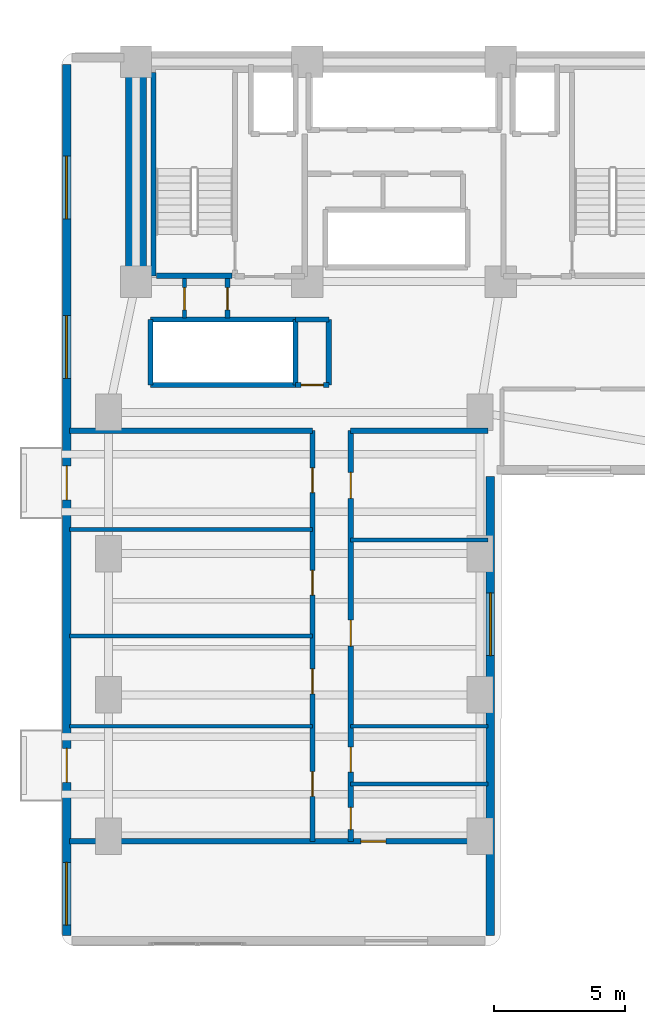
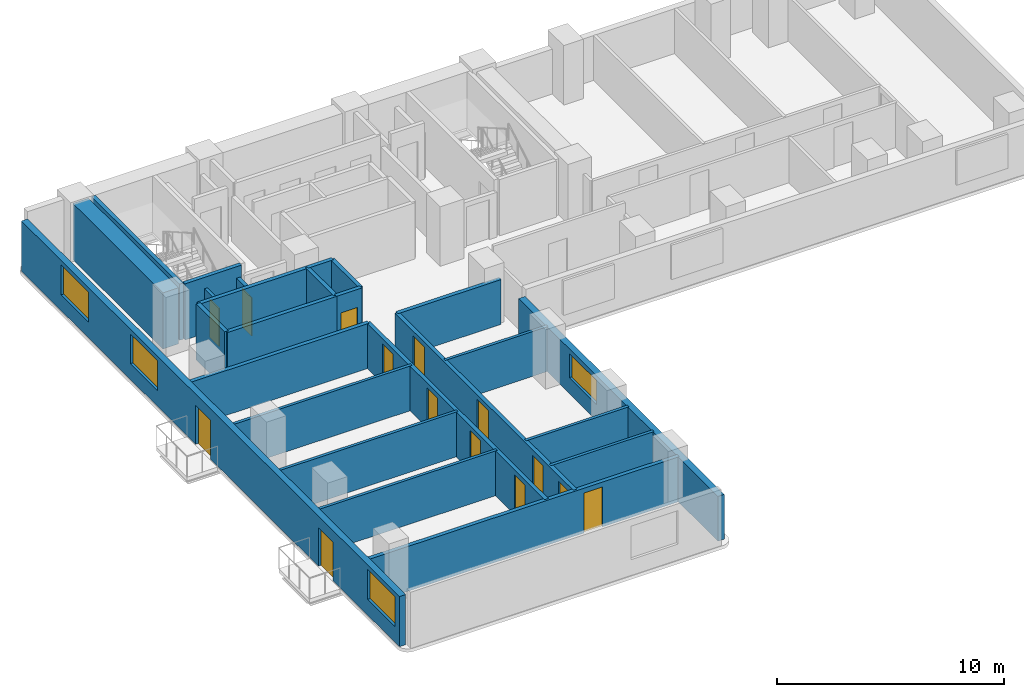
# One storey, part 10 of 17: 25 walls, 14 doors, 4 windows, 18 openings.
"""IFC4 building model written with IfcOpenShell, lengths in metres."""

from ifc_helpers import new_model, si_unit, direction, frame, frame_2d, origin, place, context, subcontext, project, spatial, rectangle, extrude, material, layer, layer_set, type_object, element, fill, save


model = new_model("IFC4")

# Units and contexts
model_context = context("Model", 3, precision=1e-05, world=origin(), true_north=direction((0.0, 1.0)))
body_context = subcontext(model_context, "Body", "Model", "MODEL_VIEW")
ifc_project = project(units=[si_unit("LENGTHUNIT", "METRE"), si_unit("AREAUNIT", "SQUARE_METRE"), si_unit("VOLUMEUNIT", "CUBIC_METRE"), si_unit("PLANEANGLEUNIT", "RADIAN"), si_unit("MASSUNIT", "GRAM", prefix="KILO")], contexts=[model_context])

# Site, building, storey
site_placement = place(None, origin())
site = spatial("IfcSite", under=ifc_project, at=site_placement, CompositionType="ELEMENT")
building_placement = place(site_placement, origin())
building = spatial("IfcBuilding", under=site, at=building_placement, Name="Kuzgunbayir Cultural Tower", CompositionType="ELEMENT")
storey_placement = place(building_placement, frame((0.0, 0.0, 43.60009765625)))
storey = spatial("IfcBuildingStorey", under=building, at=storey_placement, Name="L11", CompositionType="ELEMENT", Elevation=43.60009765625)

# Wall
ifc_material_1 = material(Name="Concrete C60/75", Category="concrete")
ifc_layer_1 = layer(ifc_material_1, 0.800048828125)
ifc_layer_set_1 = layer_set([ifc_layer_1], Name="Concrete C60/75")
wall_type_1 = type_object("IfcWallType", Name="WAL-CORE-800", PredefinedType="SHEAR", material=ifc_layer_set_1)
wall_1_placement = place(storey_placement, frame((6.449951171875, 33.800048828125, 0.0), z_axis=(0.0, 0.0, 1.0), x_axis=(0.0, 1.0, 0.0)))
element("IfcWall", 1, at=wall_1_placement, inside=storey, type_object=wall_type_1, Name="L11 T1 Core West Shear Wall", PredefinedType="SHEAR", context=body_context, shape_type="SweptSolid", body=[
    extrude(rectangle(XDim=7.949951171875, YDim=0.800048828125, at=frame_2d((3.97509765625, 0.0))), origin(), (0.0, 0.0, 1.0), 3.02001953125),
])

# Wall, openings, doors, windows
ifc_material_2 = material(Name="Travertine Buff Ashlar", Category="masonry")
ifc_layer_2 = layer(ifc_material_2, 0.320068359375)
ifc_layer_set_2 = layer_set([ifc_layer_2], Name="Travertine Buff Ashlar")
wall_type_2 = type_object("IfcWallType", Name="WAL-EXT-STONE-320", PredefinedType="STANDARD", material=ifc_layer_set_2)
wall_2_placement = place(storey_placement, frame((3.800048828125, 42.10009765625, 0.0), z_axis=(0.0, 0.0, 1.0), x_axis=(0.0, -1.0, 0.0)))
wall_2 = element("IfcWall", 2, at=wall_2_placement, inside=storey, type_object=wall_type_2, Name="L11 Wing A West Limestone Wall", PredefinedType="STANDARD", context=body_context, shape_type="SweptSolid", body=[
    extrude(rectangle(XDim=33.300048828125, YDim=0.320068359375, at=frame_2d((16.64990234375, 0.0))), origin(), (0.0, 0.0, 1.0), 2.699951171875),
])
opening_1_placement = place(wall_2_placement, frame((26.14990234375, 0.0, 0.0)))
opening_1 = element("IfcOpeningElement", 3, at=opening_1_placement, cuts=wall_2, Name="Opening BD-13", PredefinedType="OPENING", context=body_context, shape_type="SweptSolid", body=[
    extrude(rectangle(XDim=1.300048828125, YDim=2.080078125, at=frame_2d((0.64990234375, 1.0400390625))), frame((0.0, 0.169921875, 0.0), z_axis=(0.0, -1.0, 0.0), x_axis=(1.0, 0.0, 0.0)), (0.0, 0.0, 1.0), 0.340087890625),
])
opening_2_placement = place(wall_2_placement, frame((15.35009765625, 0.0, 0.0)))
opening_2 = element("IfcOpeningElement", 4, at=opening_2_placement, cuts=wall_2, Name="Opening BD-13", PredefinedType="OPENING", context=body_context, shape_type="SweptSolid", body=[
    extrude(rectangle(XDim=1.300048828125, YDim=2.080078125, at=frame_2d((0.64990234375, 1.0400390625))), frame((0.0, 0.169921875, 0.0), z_axis=(0.0, -1.0, 0.0), x_axis=(1.0, 0.0, 0.0)), (0.0, 0.0, 1.0), 0.340087890625),
])
opening_3_placement = place(wall_2_placement, frame((30.5, 0.0, 0.85009765625)))
opening_3 = element("IfcOpeningElement", 5, at=opening_3_placement, cuts=wall_2, Name="Opening WO-24", PredefinedType="OPENING", context=body_context, shape_type="SweptSolid", body=[
    extrude(rectangle(XDim=2.39990234375, YDim=1.60009765625, at=frame_2d((1.199951171875, 0.800048828125))), frame((0.0, 0.169921875, 0.0), z_axis=(0.0, -1.0, 0.0), x_axis=(1.0, 0.0, 0.0)), (0.0, 0.0, 1.0), 0.340087890625),
])
opening_4_placement = place(wall_2_placement, frame((9.60009765625, 0.0, 0.85009765625)))
opening_4 = element("IfcOpeningElement", 6, at=opening_4_placement, cuts=wall_2, Name="Opening WO-24", PredefinedType="OPENING", context=body_context, shape_type="SweptSolid", body=[
    extrude(rectangle(XDim=2.39990234375, YDim=1.60009765625, at=frame_2d((1.199951171875, 0.800048828125))), frame((0.0, 0.169921875, 0.0), z_axis=(0.0, -1.0, 0.0), x_axis=(1.0, 0.0, 0.0)), (0.0, 0.0, 1.0), 0.340087890625),
])
opening_5_placement = place(wall_2_placement, frame((3.5, 0.0, 0.85009765625)))
opening_5 = element("IfcOpeningElement", 7, at=opening_5_placement, cuts=wall_2, Name="Opening WO-24", PredefinedType="OPENING", context=body_context, shape_type="SweptSolid", body=[
    extrude(rectangle(XDim=2.39990234375, YDim=1.60009765625, at=frame_2d((1.199951171875, 0.800048828125))), frame((0.0, 0.169921875, 0.0), z_axis=(0.0, -1.0, 0.0), x_axis=(1.0, 0.0, 0.0)), (0.0, 0.0, 1.0), 0.340087890625),
])
ifc_material_3 = material(Name="Thermally Broken Glazed Aluminium", Category="aluminium")
door_type_1 = type_object("IfcDoorType", Name="DR-BALCONY-135", OperationType="SLIDING_TO_LEFT", PredefinedType="DOOR", material=ifc_material_3)
door_1_placement = place(opening_1_placement, origin())
door_1 = element("IfcDoor", 8, at=door_1_placement, inside=storey, type_object=door_type_1, Name="L11 West Balcony Sliding Door BAL-L11-WA1", OperationType="SLIDING_TO_LEFT", OverallHeight=2.080078125, OverallWidth=1.300048828125, PredefinedType="DOOR", context=body_context, shape_type="SweptSolid", body=[
    extrude(rectangle(XDim=1.300048828125, YDim=2.080078125, at=frame_2d((0.64990234375, 1.0400390625))), frame((0.0, 0.02490234375, 0.0), z_axis=(0.0, -1.0, 0.0), x_axis=(1.0, 0.0, 0.0)), (0.0, 0.0, 1.0), 0.050048828125),
])
fill(opening_1, door_1)
door_2_placement = place(opening_2_placement, origin())
door_2 = element("IfcDoor", 9, at=door_2_placement, inside=storey, type_object=door_type_1, Name="L11 West Balcony Sliding Door BAL-L11-WA3", OperationType="SLIDING_TO_LEFT", OverallHeight=2.080078125, OverallWidth=1.300048828125, PredefinedType="DOOR", context=body_context, shape_type="SweptSolid", body=[
    extrude(rectangle(XDim=1.300048828125, YDim=2.080078125, at=frame_2d((0.64990234375, 1.0400390625))), frame((0.0, 0.02490234375, 0.0), z_axis=(0.0, -1.0, 0.0), x_axis=(1.0, 0.0, 0.0)), (0.0, 0.0, 1.0), 0.050048828125),
])
fill(opening_2, door_2)
ifc_material_4 = material(Name="Solar-Control Triple Glazing", Category="glass")
window_type = type_object("IfcWindowType", Name="WIN-OFFICE-24", PartitioningType="SINGLE_PANEL", PredefinedType="WINDOW", material=ifc_material_4)
window_1_placement = place(opening_3_placement, origin())
window_1 = element("IfcWindow", 10, at=window_1_placement, inside=storey, type_object=window_type, Name="L11 WAW Facade Window 1", OverallHeight=1.60009765625, OverallWidth=2.39990234375, PartitioningType="SINGLE_PANEL", PredefinedType="WINDOW", context=body_context, shape_type="SweptSolid", body=[
    extrude(rectangle(XDim=2.39990234375, YDim=1.60009765625, at=frame_2d((1.199951171875, 0.800048828125))), frame((0.0, 0.030029296875, 0.0), z_axis=(0.0, -1.0, 0.0), x_axis=(1.0, 0.0, 0.0)), (0.0, 0.0, 1.0), 0.06005859375),
])
fill(opening_3, window_1)
window_2_placement = place(opening_4_placement, origin())
window_2 = element("IfcWindow", 11, at=window_2_placement, inside=storey, type_object=window_type, Name="L11 WAW Facade Window 2", OverallHeight=1.60009765625, OverallWidth=2.39990234375, PartitioningType="SINGLE_PANEL", PredefinedType="WINDOW", context=body_context, shape_type="SweptSolid", body=[
    extrude(rectangle(XDim=2.39990234375, YDim=1.60009765625, at=frame_2d((1.199951171875, 0.800048828125))), frame((0.0, 0.030029296875, 0.0), z_axis=(0.0, -1.0, 0.0), x_axis=(1.0, 0.0, 0.0)), (0.0, 0.0, 1.0), 0.06005859375),
])
fill(opening_4, window_2)
window_3_placement = place(opening_5_placement, origin())
window_3 = element("IfcWindow", 12, at=window_3_placement, inside=storey, type_object=window_type, Name="L11 WAW Facade Window 3", OverallHeight=1.60009765625, OverallWidth=2.39990234375, PartitioningType="SINGLE_PANEL", PredefinedType="WINDOW", context=body_context, shape_type="SweptSolid", body=[
    extrude(rectangle(XDim=2.39990234375, YDim=1.60009765625, at=frame_2d((1.199951171875, 0.800048828125))), frame((0.0, 0.030029296875, 0.0), z_axis=(0.0, -1.0, 0.0), x_axis=(1.0, 0.0, 0.0)), (0.0, 0.0, 1.0), 0.06005859375),
])
fill(opening_5, window_3)

# Wall, opening, window
wall_3_placement = place(storey_placement, frame((20.0, 8.800048828125, 0.0), z_axis=(0.0, 0.0, 1.0), x_axis=(0.0, 1.0, 0.0)))
wall_3 = element("IfcWall", 13, at=wall_3_placement, inside=storey, type_object=wall_type_2, Name="L11 Wing A East Limestone Wall", PredefinedType="STANDARD", context=body_context, shape_type="SweptSolid", body=[
    extrude(rectangle(XDim=17.550048828125, YDim=0.320068359375, at=frame_2d((8.77490234375, 0.0))), origin(), (0.0, 0.0, 1.0), 2.409912109375),
])
opening_6_placement = place(wall_3_placement, frame((10.699951171875, 0.0, 0.85009765625)))
opening_6 = element("IfcOpeningElement", 14, at=opening_6_placement, cuts=wall_3, Name="Opening WO-24", PredefinedType="OPENING", context=body_context, shape_type="SweptSolid", body=[
    extrude(rectangle(XDim=2.39990234375, YDim=1.31005859375, at=frame_2d((1.199951171875, 0.655029296875))), frame((0.0, 0.169921875, 0.0), z_axis=(0.0, -1.0, 0.0), x_axis=(1.0, 0.0, 0.0)), (0.0, 0.0, 1.0), 0.340087890625),
])
window_4_placement = place(opening_6_placement, origin())
window_4 = element("IfcWindow", 15, at=window_4_placement, inside=storey, type_object=window_type, Name="L11 WAE Facade Window 4", OverallHeight=1.31005859375, OverallWidth=2.39990234375, PartitioningType="SINGLE_PANEL", PredefinedType="WINDOW", context=body_context, shape_type="SweptSolid", body=[
    extrude(rectangle(XDim=2.39990234375, YDim=1.31005859375, at=frame_2d((1.199951171875, 0.655029296875))), frame((0.0, 0.030029296875, 0.0), z_axis=(0.0, -1.0, 0.0), x_axis=(1.0, 0.0, 0.0)), (0.0, 0.0, 1.0), 0.06005859375),
])
fill(opening_6, window_4)

# Wall, opening, door
ifc_material_5 = material(Name="Acoustic Double-Stud Drywall", Category="gypsum")
ifc_layer_3 = layer(ifc_material_5, 0.14990234375)
ifc_layer_set_3 = layer_set([ifc_layer_3], Name="Acoustic Double-Stud Drywall")
wall_type_3 = type_object("IfcWallType", Name="WAL-PART-ACOUSTIC-150", PredefinedType="PARTITIONING", material=ifc_layer_set_3)
wall_4_placement = place(storey_placement, frame((8.300048828125, 32.39990234375, 0.0), z_axis=(0.0, 0.0, 1.0), x_axis=(0.0, 1.0, 0.0)))
wall_4 = element("IfcWall", 16, at=wall_4_placement, inside=storey, type_object=wall_type_3, Name="L11 West Core Closet Divider", PredefinedType="PARTITIONING", context=body_context, shape_type="SweptSolid", body=[
    extrude(rectangle(XDim=1.52001953125, YDim=0.14990234375, at=frame_2d((0.760009765625, 0.0))), origin(), (0.0, 0.0, 1.0), 2.409912109375),
])
opening_7_placement = place(wall_4_placement, frame((0.320068359375, 0.0, 0.0)))
opening_7 = element("IfcOpeningElement", 17, at=opening_7_placement, cuts=wall_4, Name="Opening DR-RSR-60", PredefinedType="OPENING", context=body_context, shape_type="SweptSolid", body=[
    extrude(rectangle(XDim=0.85009765625, YDim=2.050048828125, at=frame_2d((0.425048828125, 1.02490234375))), frame((0.0, 0.0849609375, 0.0), z_axis=(0.0, -1.0, 0.0), x_axis=(1.0, 0.0, 0.0)), (0.0, 0.0, 1.0), 0.169921875),
])
ifc_material_6 = material(Name="Steel Access Leaf", Category="steel")
door_type_2 = type_object("IfcDoorType", Name="DR-RISER-60", OperationType="NOTDEFINED", PredefinedType="DOOR", material=ifc_material_6)
door_3_placement = place(opening_7_placement, origin())
door_3 = element("IfcDoor", 18, at=door_3_placement, inside=storey, type_object=door_type_2, Name="L11 Sub-Meter Closet Door", OperationType="SINGLE_SWING_RIGHT", OverallHeight=2.050048828125, OverallWidth=0.85009765625, PredefinedType="DOOR", context=body_context, shape_type="SweptSolid", body=[
    extrude(rectangle(XDim=0.85009765625, YDim=2.050048828125, at=frame_2d((0.425048828125, 1.02490234375))), frame((0.0, 0.02490234375, 0.0), z_axis=(0.0, -1.0, 0.0), x_axis=(1.0, 0.0, 0.0)), (0.0, 0.0, 1.0), 0.050048828125),
])
fill(opening_7, door_3)

# Walls
for number, where, z_axis, x_axis, name in (
    (19, (3.89990234375, 16.800048828125, 0.0), (0.0, 0.0, 1.0), (1.0, 0.0, 0.0), "L11 West Suite Partition 1"),
    (20, (3.89990234375, 20.25, 0.0), (0.0, 0.0, 1.0), (1.0, 0.0, 0.0), "L11 West Suite Partition 2"),
    (21, (3.89990234375, 24.330078125, 0.0), (0.0, 0.0, 1.0), (1.0, 0.0, 0.0), "L11 West Suite Partition 3"),
):
    element("IfcWall", number, at=place(storey_placement, frame(where, z_axis=z_axis, x_axis=x_axis)), inside=storey, type_object=wall_type_3, Name=name, PredefinedType="PARTITIONING", context=body_context, shape_type="SweptSolid", body=[
        extrude(rectangle(XDim=9.300048828125, YDim=0.14990234375, at=frame_2d((4.64990234375, 0.0))), origin(), (0.0, 0.0, 1.0), 2.409912109375),
    ])
wall_5_placement = place(storey_placement, frame((14.659912109375, 23.919921875, 0.0), z_axis=(0.0, 0.0, 1.0), x_axis=(1.0, 0.0, 0.0)))
element("IfcWall", 22, at=wall_5_placement, inside=storey, type_object=wall_type_3, Name="L11 East Studio Divider 1", PredefinedType="PARTITIONING", context=body_context, shape_type="SweptSolid", body=[
    extrude(rectangle(XDim=5.239990234375, YDim=0.14990234375, at=frame_2d((2.6201171875, 0.0))), origin(), (0.0, 0.0, 1.0), 2.409912109375),
])

# Wall, opening, door
ifc_material_7 = material(Name="Aerated Concrete Blockwork", Category="masonry")
ifc_layer_4 = layer(ifc_material_7, 0.199951171875)
ifc_layer_set_4 = layer_set([ifc_layer_4], Name="Aerated Concrete Blockwork")
wall_type_4 = type_object("IfcWallType", Name="WAL-PART-FIRE-200", PredefinedType="PARTITIONING", material=ifc_layer_set_4)
wall_6_placement = place(storey_placement, frame((9.949951171875, 32.39990234375, 0.0), z_axis=(0.0, 0.0, 1.0), x_axis=(0.0, 1.0, 0.0)))
wall_6 = element("IfcWall", 23, at=wall_6_placement, inside=storey, type_object=wall_type_4, Name="L11 West Core Service Closet Wall", PredefinedType="PARTITIONING", context=body_context, shape_type="SweptSolid", body=[
    extrude(rectangle(XDim=1.52001953125, YDim=0.199951171875, at=frame_2d((0.760009765625, 0.0))), origin(), (0.0, 0.0, 1.0), 2.409912109375),
])
opening_8_placement = place(wall_6_placement, frame((0.320068359375, 0.0, 0.0)))
opening_8 = element("IfcOpeningElement", 24, at=opening_8_placement, cuts=wall_6, Name="Opening DR-RSR-60", PredefinedType="OPENING", context=body_context, shape_type="SweptSolid", body=[
    extrude(rectangle(XDim=0.85009765625, YDim=2.050048828125, at=frame_2d((0.425048828125, 1.02490234375))), frame((0.0, 0.10986328125, 0.0), z_axis=(0.0, -1.0, 0.0), x_axis=(1.0, 0.0, 0.0)), (0.0, 0.0, 1.0), 0.219970703125),
])
door_4_placement = place(opening_8_placement, origin())
door_4 = element("IfcDoor", 25, at=door_4_placement, inside=storey, type_object=door_type_2, Name="L11 Cleaner Store Door", OperationType="SINGLE_SWING_LEFT", OverallHeight=2.050048828125, OverallWidth=0.85009765625, PredefinedType="DOOR", context=body_context, shape_type="SweptSolid", body=[
    extrude(rectangle(XDim=0.85009765625, YDim=2.050048828125, at=frame_2d((0.425048828125, 1.02490234375))), frame((0.0, 0.02490234375, 0.0), z_axis=(0.0, -1.0, 0.0), x_axis=(1.0, 0.0, 0.0)), (0.0, 0.0, 1.0), 0.050048828125),
])
fill(opening_8, door_4)

wall_7_placement = place(storey_placement, frame((12.550048828125, 29.85009765625, 0.0), z_axis=(0.0, 0.0, 1.0), x_axis=(1.0, 0.0, 0.0)))
wall_7 = element("IfcWall", 26, at=wall_7_placement, inside=storey, type_object=wall_type_4, Name="L11 Center Core Switchgear South Wall", PredefinedType="PARTITIONING", context=body_context, shape_type="SweptSolid", body=[
    extrude(rectangle(XDim=1.27001953125, YDim=0.199951171875, at=frame_2d((0.635009765625, 0.0))), origin(), (0.0, 0.0, 1.0), 3.02001953125),
])
opening_9_placement = place(wall_7_placement, frame((0.2099609375, 0.0, 0.0)))
opening_9 = element("IfcOpeningElement", 27, at=opening_9_placement, cuts=wall_7, Name="Opening DR-RSR-60", PredefinedType="OPENING", context=body_context, shape_type="SweptSolid", body=[
    extrude(rectangle(XDim=0.85009765625, YDim=2.050048828125, at=frame_2d((0.425048828125, 1.02490234375))), frame((0.0, 0.10986328125, 0.0), z_axis=(0.0, -1.0, 0.0), x_axis=(1.0, 0.0, 0.0)), (0.0, 0.0, 1.0), 0.219970703125),
])
door_5_placement = place(opening_9_placement, origin())
door_5 = element("IfcDoor", 28, at=door_5_placement, inside=storey, type_object=door_type_2, Name="L11 Telecom Closet Door", OperationType="SINGLE_SWING_LEFT", OverallHeight=2.050048828125, OverallWidth=0.85009765625, PredefinedType="DOOR", context=body_context, shape_type="SweptSolid", body=[
    extrude(rectangle(XDim=0.85009765625, YDim=2.050048828125, at=frame_2d((0.425048828125, 1.02490234375))), frame((0.0, 0.02490234375, 0.0), z_axis=(0.0, -1.0, 0.0), x_axis=(1.0, 0.0, 0.0)), (0.0, 0.0, 1.0), 0.050048828125),
])
fill(opening_9, door_5)

# Walls
wall_8_placement = place(storey_placement, frame((13.820068359375, 29.85009765625, 0.0), z_axis=(0.0, 0.0, 1.0), x_axis=(0.0, 1.0, 0.0)))
element("IfcWall", 29, at=wall_8_placement, inside=storey, type_object=wall_type_4, Name="L11 Center Core Switchgear East Wall", PredefinedType="PARTITIONING", context=body_context, shape_type="SweptSolid", body=[
    extrude(rectangle(XDim=2.5, YDim=0.199951171875, at=frame_2d((1.25, 0.0))), origin(), (0.0, 0.0, 1.0), 3.02001953125),
])
wall_9_placement = place(storey_placement, frame((12.550048828125, 32.35009765625, 0.0), z_axis=(0.0, 0.0, 1.0), x_axis=(1.0, 0.0, 0.0)))
element("IfcWall", 30, at=wall_9_placement, inside=storey, type_object=wall_type_4, Name="L11 Center Core Switchgear North Wall", PredefinedType="PARTITIONING", context=body_context, shape_type="SweptSolid", body=[
    extrude(rectangle(XDim=1.27001953125, YDim=0.199951171875, at=frame_2d((0.635009765625, 0.0))), origin(), (0.0, 0.0, 1.0), 3.02001953125),
])

# Wall, openings, doors
wall_10_placement = place(storey_placement, frame((13.199951171875, 12.39990234375, 0.0), z_axis=(0.0, 0.0, 1.0), x_axis=(0.0, 1.0, 0.0)))
wall_10 = element("IfcWall", 31, at=wall_10_placement, inside=storey, type_object=wall_type_4, Name="L11 Wing A West Corridor Wall", PredefinedType="PARTITIONING", context=body_context, shape_type="SweptSolid", body=[
    extrude(rectangle(XDim=15.7001953125, YDim=0.199951171875, at=frame_2d((7.85009765625, 0.0))), origin(), (0.0, 0.0, 1.0), 2.409912109375),
])
opening_10_placement = place(wall_10_placement, frame((1.719970703125, 0.0, 0.0)))
opening_10 = element("IfcOpeningElement", 32, at=opening_10_placement, cuts=wall_10, Name="Opening DI-90", PredefinedType="OPENING", context=body_context, shape_type="SweptSolid", body=[
    extrude(rectangle(XDim=0.949951171875, YDim=2.14990234375, at=frame_2d((0.47509765625, 1.074951171875))), frame((0.0, 0.10986328125, 0.0), z_axis=(0.0, -1.0, 0.0), x_axis=(1.0, 0.0, 0.0)), (0.0, 0.0, 1.0), 0.219970703125),
])
opening_11_placement = place(wall_10_placement, frame((5.639892578125, 0.0, 0.0)))
opening_11 = element("IfcOpeningElement", 33, at=opening_11_placement, cuts=wall_10, Name="Opening DI-90", PredefinedType="OPENING", context=body_context, shape_type="SweptSolid", body=[
    extrude(rectangle(XDim=0.949951171875, YDim=2.14990234375, at=frame_2d((0.47509765625, 1.074951171875))), frame((0.0, 0.10986328125, 0.0), z_axis=(0.0, -1.0, 0.0), x_axis=(1.0, 0.0, 0.0)), (0.0, 0.0, 1.0), 0.219970703125),
])
opening_12_placement = place(wall_10_placement, frame((9.409912109375, 0.0, 0.0)))
opening_12 = element("IfcOpeningElement", 34, at=opening_12_placement, cuts=wall_10, Name="Opening DI-90", PredefinedType="OPENING", context=body_context, shape_type="SweptSolid", body=[
    extrude(rectangle(XDim=0.949951171875, YDim=2.14990234375, at=frame_2d((0.47509765625, 1.074951171875))), frame((0.0, 0.10986328125, 0.0), z_axis=(0.0, -1.0, 0.0), x_axis=(1.0, 0.0, 0.0)), (0.0, 0.0, 1.0), 0.219970703125),
])
opening_13_placement = place(wall_10_placement, frame((13.330078125, 0.0, 0.0)))
opening_13 = element("IfcOpeningElement", 35, at=opening_13_placement, cuts=wall_10, Name="Opening DI-90", PredefinedType="OPENING", context=body_context, shape_type="SweptSolid", body=[
    extrude(rectangle(XDim=0.949951171875, YDim=2.14990234375, at=frame_2d((0.47509765625, 1.074951171875))), frame((0.0, 0.10986328125, 0.0), z_axis=(0.0, -1.0, 0.0), x_axis=(1.0, 0.0, 0.0)), (0.0, 0.0, 1.0), 0.219970703125),
])
ifc_material_8 = material(Name="Veneered Oak Single Leaf", Category="wood")
door_type_3 = type_object("IfcDoorType", Name="DR-INT-90", OperationType="NOTDEFINED", PredefinedType="DOOR", material=ifc_material_8)
door_6_placement = place(opening_10_placement, origin())
door_6 = element("IfcDoor", 36, at=door_6_placement, inside=storey, type_object=door_type_3, Name="L11 Fellows Reading Lounge W1 Door", OperationType="SINGLE_SWING_RIGHT", OverallHeight=2.14990234375, OverallWidth=0.949951171875, PredefinedType="DOOR", context=body_context, shape_type="SweptSolid", body=[
    extrude(rectangle(XDim=0.949951171875, YDim=2.14990234375, at=frame_2d((0.47509765625, 1.074951171875))), frame((0.0, 0.02490234375, 0.0), z_axis=(0.0, -1.0, 0.0), x_axis=(1.0, 0.0, 0.0)), (0.0, 0.0, 1.0), 0.050048828125),
])
fill(opening_10, door_6)
door_7_placement = place(opening_11_placement, origin())
door_7 = element("IfcDoor", 37, at=door_7_placement, inside=storey, type_object=door_type_3, Name="L11 Fellows Reading Lounge W2 Door", OperationType="SINGLE_SWING_LEFT", OverallHeight=2.14990234375, OverallWidth=0.949951171875, PredefinedType="DOOR", context=body_context, shape_type="SweptSolid", body=[
    extrude(rectangle(XDim=0.949951171875, YDim=2.14990234375, at=frame_2d((0.47509765625, 1.074951171875))), frame((0.0, 0.02490234375, 0.0), z_axis=(0.0, -1.0, 0.0), x_axis=(1.0, 0.0, 0.0)), (0.0, 0.0, 1.0), 0.050048828125),
])
fill(opening_11, door_7)
door_8_placement = place(opening_12_placement, origin())
door_8 = element("IfcDoor", 38, at=door_8_placement, inside=storey, type_object=door_type_3, Name="L11 Fellows Reading Lounge W3 Door", OperationType="SINGLE_SWING_RIGHT", OverallHeight=2.14990234375, OverallWidth=0.949951171875, PredefinedType="DOOR", context=body_context, shape_type="SweptSolid", body=[
    extrude(rectangle(XDim=0.949951171875, YDim=2.14990234375, at=frame_2d((0.47509765625, 1.074951171875))), frame((0.0, 0.02490234375, 0.0), z_axis=(0.0, -1.0, 0.0), x_axis=(1.0, 0.0, 0.0)), (0.0, 0.0, 1.0), 0.050048828125),
])
fill(opening_12, door_8)
door_9_placement = place(opening_13_placement, origin())
door_9 = element("IfcDoor", 39, at=door_9_placement, inside=storey, type_object=door_type_3, Name="L11 Seminar Boardroom W4 Door", OperationType="SINGLE_SWING_LEFT", OverallHeight=2.14990234375, OverallWidth=0.949951171875, PredefinedType="DOOR", context=body_context, shape_type="SweptSolid", body=[
    extrude(rectangle(XDim=0.949951171875, YDim=2.14990234375, at=frame_2d((0.47509765625, 1.074951171875))), frame((0.0, 0.02490234375, 0.0), z_axis=(0.0, -1.0, 0.0), x_axis=(1.0, 0.0, 0.0)), (0.0, 0.0, 1.0), 0.050048828125),
])
fill(opening_13, door_9)

wall_11_placement = place(storey_placement, frame((14.659912109375, 12.39990234375, 0.0), z_axis=(0.0, 0.0, 1.0), x_axis=(0.0, 1.0, 0.0)))
wall_11 = element("IfcWall", 40, at=wall_11_placement, inside=storey, type_object=wall_type_4, Name="L11 Wing A East Corridor Wall", PredefinedType="PARTITIONING", context=body_context, shape_type="SweptSolid", body=[
    extrude(rectangle(XDim=15.7001953125, YDim=0.199951171875, at=frame_2d((7.85009765625, 0.0))), origin(), (0.0, 0.0, 1.0), 2.409912109375),
])
opening_14_placement = place(wall_11_placement, frame((0.449951171875, 0.0, 0.0)))
opening_14 = element("IfcOpeningElement", 41, at=opening_14_placement, cuts=wall_11, Name="Opening DW-85", PredefinedType="OPENING", context=body_context, shape_type="SweptSolid", body=[
    extrude(rectangle(XDim=0.85009765625, YDim=2.10009765625, at=frame_2d((0.425048828125, 1.050048828125))), frame((0.0, 0.10986328125, 0.0), z_axis=(0.0, -1.0, 0.0), x_axis=(1.0, 0.0, 0.0)), (0.0, 0.0, 1.0), 0.219970703125),
])
opening_15_placement = place(wall_11_placement, frame((2.64990234375, 0.0, 0.0)))
opening_15 = element("IfcOpeningElement", 42, at=opening_15_placement, cuts=wall_11, Name="Opening DW-95", PredefinedType="OPENING", context=body_context, shape_type="SweptSolid", body=[
    extrude(rectangle(XDim=0.949951171875, YDim=2.10009765625, at=frame_2d((0.47509765625, 1.050048828125))), frame((0.0, 0.10986328125, 0.0), z_axis=(0.0, -1.0, 0.0), x_axis=(1.0, 0.0, 0.0)), (0.0, 0.0, 1.0), 0.219970703125),
])
opening_16_placement = place(wall_11_placement, frame((7.4599609375, 0.0, 0.0)))
opening_16 = element("IfcOpeningElement", 43, at=opening_16_placement, cuts=wall_11, Name="Opening DI-100", PredefinedType="OPENING", context=body_context, shape_type="SweptSolid", body=[
    extrude(rectangle(XDim=1.0, YDim=2.14990234375, at=frame_2d((0.5, 1.074951171875))), frame((0.0, 0.10986328125, 0.0), z_axis=(0.0, -1.0, 0.0), x_axis=(1.0, 0.0, 0.0)), (0.0, 0.0, 1.0), 0.219970703125),
])
opening_17_placement = place(wall_11_placement, frame((13.110107421875, 0.0, 0.0)))
opening_17 = element("IfcOpeningElement", 44, at=opening_17_placement, cuts=wall_11, Name="Opening DI-100", PredefinedType="OPENING", context=body_context, shape_type="SweptSolid", body=[
    extrude(rectangle(XDim=1.0, YDim=2.14990234375, at=frame_2d((0.5, 1.074951171875))), frame((0.0, 0.10986328125, 0.0), z_axis=(0.0, -1.0, 0.0), x_axis=(1.0, 0.0, 0.0)), (0.0, 0.0, 1.0), 0.219970703125),
])
door_type_4 = type_object("IfcDoorType", Name="DR-INT-100", OperationType="NOTDEFINED", PredefinedType="DOOR", material=ifc_material_8)
door_10_placement = place(opening_16_placement, origin())
door_10 = element("IfcDoor", 45, at=door_10_placement, inside=storey, type_object=door_type_4, Name="L11 East Curatorial Office 1 Door", OperationType="SINGLE_SWING_LEFT", OverallHeight=2.14990234375, OverallWidth=1.0, PredefinedType="DOOR", context=body_context, shape_type="SweptSolid", body=[
    extrude(rectangle(XDim=1.0, YDim=2.14990234375, at=frame_2d((0.5, 1.074951171875))), frame((0.0, 0.02490234375, 0.0), z_axis=(0.0, -1.0, 0.0), x_axis=(1.0, 0.0, 0.0)), (0.0, 0.0, 1.0), 0.050048828125),
])
fill(opening_16, door_10)
door_11_placement = place(opening_17_placement, origin())
door_11 = element("IfcDoor", 46, at=door_11_placement, inside=storey, type_object=door_type_4, Name="L11 East Seminar Boardroom 2 Door", OperationType="SINGLE_SWING_RIGHT", OverallHeight=2.14990234375, OverallWidth=1.0, PredefinedType="DOOR", context=body_context, shape_type="SweptSolid", body=[
    extrude(rectangle(XDim=1.0, YDim=2.14990234375, at=frame_2d((0.5, 1.074951171875))), frame((0.0, 0.02490234375, 0.0), z_axis=(0.0, -1.0, 0.0), x_axis=(1.0, 0.0, 0.0)), (0.0, 0.0, 1.0), 0.050048828125),
])
fill(opening_17, door_11)
ifc_material_9 = material(Name="Laminate Moisture-Resistant Leaf", Category="wood")
door_type_5 = type_object("IfcDoorType", Name="DR-WET-85", OperationType="NOTDEFINED", PredefinedType="DOOR", material=ifc_material_9)
door_12_placement = place(opening_14_placement, origin())
door_12 = element("IfcDoor", 47, at=door_12_placement, inside=storey, type_object=door_type_5, Name="L11 Restroom Door", OperationType="SINGLE_SWING_LEFT", OverallHeight=2.10009765625, OverallWidth=0.85009765625, PredefinedType="DOOR", context=body_context, shape_type="SweptSolid", body=[
    extrude(rectangle(XDim=0.85009765625, YDim=2.10009765625, at=frame_2d((0.425048828125, 1.050048828125))), frame((0.0, 0.02490234375, 0.0), z_axis=(0.0, -1.0, 0.0), x_axis=(1.0, 0.0, 0.0)), (0.0, 0.0, 1.0), 0.050048828125),
])
fill(opening_14, door_12)
door_type_6 = type_object("IfcDoorType", Name="DR-WET-95", OperationType="NOTDEFINED", PredefinedType="DOOR", material=ifc_material_9)
door_13_placement = place(opening_15_placement, origin())
door_13 = element("IfcDoor", 48, at=door_13_placement, inside=storey, type_object=door_type_6, Name="L11 Accessible WC Door", OperationType="SINGLE_SWING_RIGHT", OverallHeight=2.10009765625, OverallWidth=0.949951171875, PredefinedType="DOOR", context=body_context, shape_type="SweptSolid", body=[
    extrude(rectangle(XDim=0.949951171875, YDim=2.10009765625, at=frame_2d((0.47509765625, 1.050048828125))), frame((0.0, 0.02490234375, 0.0), z_axis=(0.0, -1.0, 0.0), x_axis=(1.0, 0.0, 0.0)), (0.0, 0.0, 1.0), 0.050048828125),
])
fill(opening_15, door_13)

# Wall, opening, door
wall_12_placement = place(storey_placement, frame((3.89990234375, 12.39990234375, 0.0), z_axis=(0.0, 0.0, 1.0), x_axis=(1.0, 0.0, 0.0)))
wall_12 = element("IfcWall", 49, at=wall_12_placement, inside=storey, type_object=wall_type_4, Name="L11 South Cross Partition", PredefinedType="PARTITIONING", context=body_context, shape_type="SweptSolid", body=[
    extrude(rectangle(XDim=16.0, YDim=0.199951171875, at=frame_2d((8.0, 0.0))), origin(), (0.0, 0.0, 1.0), 2.409912109375),
])
opening_18_placement = place(wall_12_placement, frame((11.14990234375, 0.0, 0.0)))
opening_18 = element("IfcOpeningElement", 50, at=opening_18_placement, cuts=wall_12, Name="Opening DI-90", PredefinedType="OPENING", context=body_context, shape_type="SweptSolid", body=[
    extrude(rectangle(XDim=0.949951171875, YDim=2.14990234375, at=frame_2d((0.47509765625, 1.074951171875))), frame((0.0, 0.10986328125, 0.0), z_axis=(0.0, -1.0, 0.0), x_axis=(1.0, 0.0, 0.0)), (0.0, 0.0, 1.0), 0.219970703125),
])
door_14_placement = place(opening_18_placement, origin())
door_14 = element("IfcDoor", 51, at=door_14_placement, inside=storey, type_object=door_type_3, Name="L11 South Suite S1 Door", OperationType="SINGLE_SWING_RIGHT", OverallHeight=2.14990234375, OverallWidth=0.949951171875, PredefinedType="DOOR", context=body_context, shape_type="SweptSolid", body=[
    extrude(rectangle(XDim=0.949951171875, YDim=2.14990234375, at=frame_2d((0.47509765625, 1.074951171875))), frame((0.0, 0.02490234375, 0.0), z_axis=(0.0, -1.0, 0.0), x_axis=(1.0, 0.0, 0.0)), (0.0, 0.0, 1.0), 0.050048828125),
])
fill(opening_18, door_14)

# Walls
wall_13_placement = place(storey_placement, frame((3.89990234375, 28.10009765625, 0.0), z_axis=(0.0, 0.0, 1.0), x_axis=(1.0, 0.0, 0.0)))
element("IfcWall", 52, at=wall_13_placement, inside=storey, type_object=wall_type_4, Name="L11 North West Partition", PredefinedType="PARTITIONING", context=body_context, shape_type="SweptSolid", body=[
    extrude(rectangle(XDim=9.300048828125, YDim=0.199951171875, at=frame_2d((4.64990234375, 0.0))), origin(), (0.0, 0.0, 1.0), 2.409912109375),
])
wall_14_placement = place(storey_placement, frame((14.659912109375, 28.10009765625, 0.0), z_axis=(0.0, 0.0, 1.0), x_axis=(1.0, 0.0, 0.0)))
element("IfcWall", 53, at=wall_14_placement, inside=storey, type_object=wall_type_4, Name="L11 North East Partition", PredefinedType="PARTITIONING", context=body_context, shape_type="SweptSolid", body=[
    extrude(rectangle(XDim=5.239990234375, YDim=0.199951171875, at=frame_2d((2.6201171875, 0.0))), origin(), (0.0, 0.0, 1.0), 2.409912109375),
])
ifc_material_10 = material(Name="Moisture-Resistant Tile Partition", Category="gypsum")
ifc_layer_5 = layer(ifc_material_10, 0.14990234375)
ifc_layer_set_5 = layer_set([ifc_layer_5], Name="Moisture-Resistant Tile Partition")
wall_type_5 = type_object("IfcWallType", Name="WAL-PART-WET-150", PredefinedType="PARTITIONING", material=ifc_layer_set_5)
for number, where, z_axis, x_axis, name in (
    (54, (14.659912109375, 14.60009765625, 0.0), (0.0, 0.0, 1.0), (1.0, 0.0, 0.0), "L11 WC North Wall"),
    (55, (14.659912109375, 16.800048828125, 0.0), (0.0, 0.0, 1.0), (1.0, 0.0, 0.0), "L11 Accessible WC North Wall"),
):
    element("IfcWall", number, at=place(storey_placement, frame(where, z_axis=z_axis, x_axis=x_axis)), inside=storey, type_object=wall_type_5, Name=name, PredefinedType="PARTITIONING", context=body_context, shape_type="SweptSolid", body=[
        extrude(rectangle(XDim=5.239990234375, YDim=0.14990234375, at=frame_2d((2.6201171875, 0.0))), origin(), (0.0, 0.0, 1.0), 2.409912109375),
    ])
ifc_material_11 = material(Name="Concrete C40/50", Category="concrete")
ifc_layer_6 = layer(ifc_material_11, 0.199951171875)
ifc_layer_set_6 = layer_set([ifc_layer_6], Name="Concrete C40/50")
wall_type_6 = type_object("IfcWallType", Name="WAL-SHAFT-200", PredefinedType="MOVABLE", material=ifc_layer_set_6)
for number, where, z_axis, x_axis, name in (
    (56, (7.0, 29.85009765625, 0.0), (0.0, 0.0, 1.0), (1.0, 0.0, 0.0), "L11 High-Rise Lift Shaft South Wall"),
    (57, (7.0, 32.35009765625, 0.0), (0.0, 0.0, 1.0), (1.0, 0.0, 0.0), "L11 High-Rise Lift Shaft North Wall"),
):
    element("IfcWall", number, at=place(storey_placement, frame(where, z_axis=z_axis, x_axis=x_axis)), inside=storey, type_object=wall_type_6, Name=name, PredefinedType="MOVABLE", context=body_context, shape_type="SweptSolid", body=[
        extrude(rectangle(XDim=5.550048828125, YDim=0.199951171875, at=frame_2d((2.77490234375, 0.0))), origin(), (0.0, 0.0, 1.0), 3.02001953125),
    ])
for number, where, z_axis, x_axis, name in (
    (58, (7.0, 29.85009765625, 0.0), (0.0, 0.0, 1.0), (0.0, 1.0, 0.0), "L11 High-Rise Lift Shaft West Wall"),
    (59, (12.550048828125, 29.85009765625, 0.0), (0.0, 0.0, 1.0), (0.0, 1.0, 0.0), "L11 High-Rise Lift Shaft East Wall"),
):
    element("IfcWall", number, at=place(storey_placement, frame(where, z_axis=z_axis, x_axis=x_axis)), inside=storey, type_object=wall_type_6, Name=name, PredefinedType="MOVABLE", context=body_context, shape_type="SweptSolid", body=[
        extrude(rectangle(XDim=2.5, YDim=0.199951171875, at=frame_2d((1.25, 0.0))), origin(), (0.0, 0.0, 1.0), 3.02001953125),
    ])
ifc_layer_7 = layer(ifc_material_11, 0.199951171875)
ifc_layer_set_7 = layer_set([ifc_layer_7], Name="Concrete C40/50")
wall_type_7 = type_object("IfcWallType", Name="WAL-STAIR-RC-200", PredefinedType="SHEAR", material=ifc_layer_set_7)
wall_15_placement = place(storey_placement, frame((7.1201171875, 34.02001953125, 0.0), z_axis=(0.0, 0.0, 1.0), x_axis=(0.0, 1.0, 0.0)))
element("IfcWall", 60, at=wall_15_placement, inside=storey, type_object=wall_type_7, Name="L11 Stair ST-1 West Structural Wall", PredefinedType="SHEAR", context=body_context, shape_type="SweptSolid", body=[
    extrude(rectangle(XDim=7.780029296875, YDim=0.199951171875, at=frame_2d((3.89013671875, 0.0))), origin(), (0.0, 0.0, 1.0), 3.02001953125),
])
wall_16_placement = place(storey_placement, frame((7.239990234375, 34.02001953125, 0.0), z_axis=(0.0, 0.0, 1.0), x_axis=(1.0, 0.0, 0.0)))
element("IfcWall", 61, at=wall_16_placement, inside=storey, type_object=wall_type_7, Name="L11 Stair ST-1 South Structural Wall", PredefinedType="SHEAR", context=body_context, shape_type="SweptSolid", body=[
    extrude(rectangle(XDim=2.880126953125, YDim=0.199951171875, at=frame_2d((1.43994140625, 0.0))), origin(), (0.0, 0.0, 1.0), 3.02001953125),
])

save(model, "model.ifc")
